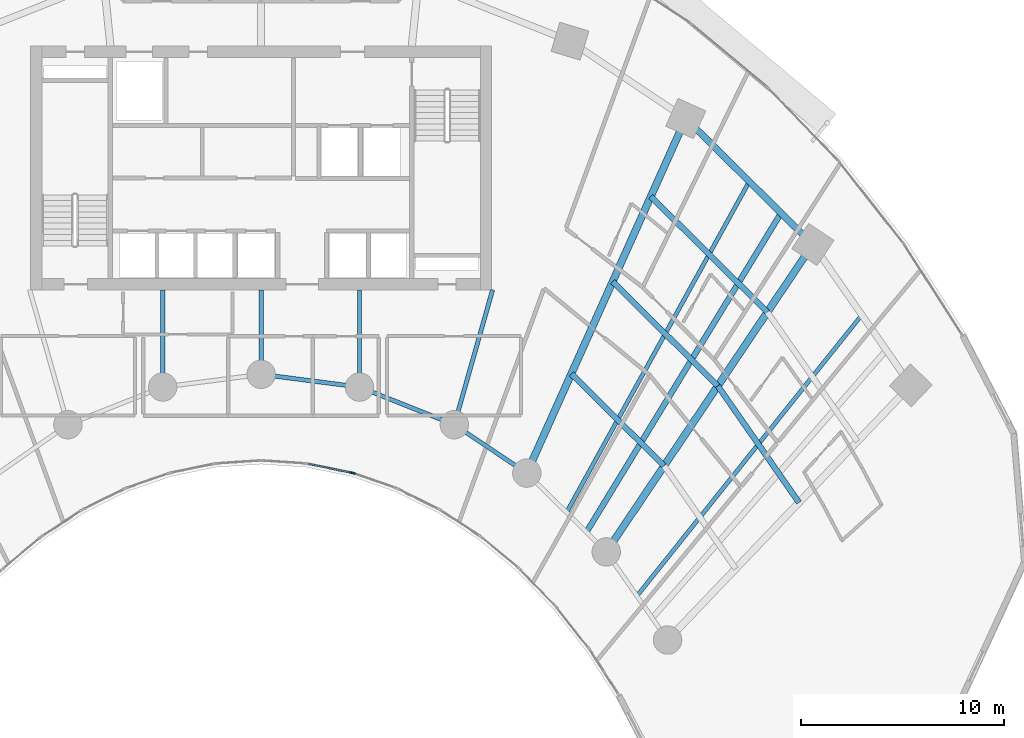
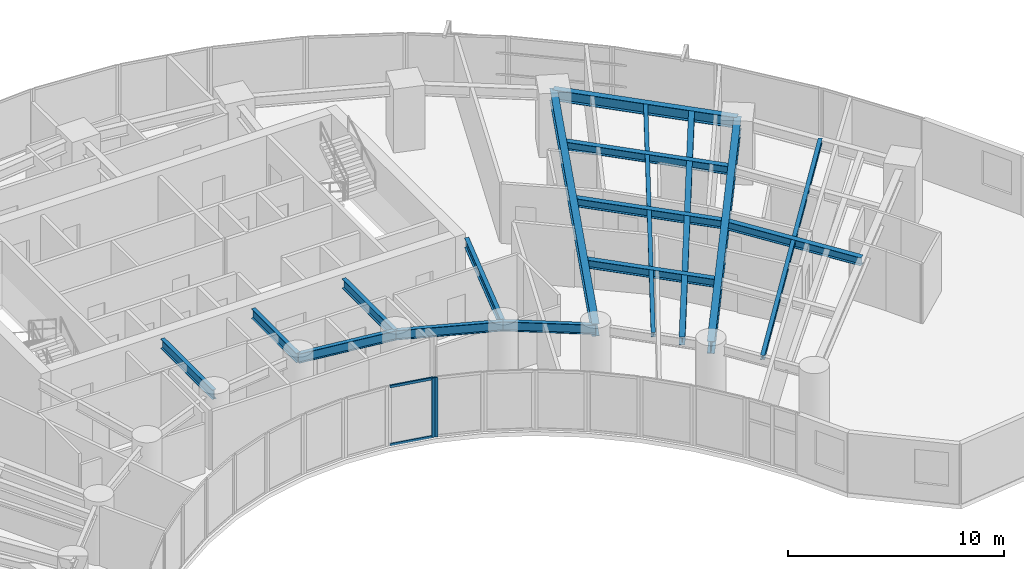
# One storey, part 5 of 17: 17 beams, 4 members, 2 elements without a shape of their own.
"""IFC4 building model written with IfcOpenShell, lengths in metres."""

import ifcopenshell
import ifcopenshell.guid

model = None  # the IFC model being written
_history = None  # IfcOwnerHistory: only IFC2X3 demands one
_inside = {}  # id of a spatial element -> (the spatial element, [elements in it])
_under = {}  # id of a project, library or spatial element -> (it, [spatial elements below it])
_declared = {}  # id of a project -> (the project, [libraries it declares])
_typed = {}  # id of a type object -> (the type object, [elements of that type])
_made_of = {}  # id of a material, layer set ... -> (it, [elements and type objects made of it])


def new_model(schema):
    """Start an empty IFC model of exactly this schema.

    Asked for "IFC4X3", IfcOpenShell would pick the latest addendum, in which some entities
    have other attributes; the version numbers below select the first issue.
    IFC2X3 requires an IfcOwnerHistory on every rooted entity: one is made here for all.
    """
    global model, _history
    if schema == "IFC4X3":
        model = ifcopenshell.file(schema_version=(4, 3, 0, 0))
    else:
        model = ifcopenshell.file(schema=schema)
    _inside.clear()
    _under.clear()
    _declared.clear()
    _typed.clear()
    _made_of.clear()
    _history = None
    if model.schema == "IFC2X3":
        org = make("IfcOrganization", Name="unknown")
        user = make(
            "IfcPersonAndOrganization",
            ThePerson=make("IfcPerson", FamilyName="unknown"),
            TheOrganization=org,
        )
        app = make(
            "IfcApplication",
            ApplicationDeveloper=org,
            Version="unknown",
            ApplicationFullName="unknown",
            ApplicationIdentifier="unknown",
        )
        _history = make(
            "IfcOwnerHistory",
            OwningUser=user,
            OwningApplication=app,
            ChangeAction="ADDED",
            CreationDate=0,
        )
    return model


def make(cls, **values):
    """One entity of the class cls with the attributes given. An attribute that is None is left unset."""
    return model.create_entity(
        cls, **{name: value for name, value in values.items() if value is not None}
    )


def rooted(cls, **values):
    """An entity with a GlobalId (a new one), such as an element, a storey or a relation."""
    return make(cls, GlobalId=ifcopenshell.guid.new(), OwnerHistory=_history, **values)


def si_unit(unit_type, name, prefix=None):
    """IfcSIUnit, for example si_unit("LENGTHUNIT", "METRE", prefix="MILLI")."""
    return make("IfcSIUnit", UnitType=unit_type, Prefix=prefix, Name=name)


def assignment(units):
    """IfcUnitAssignment: the units of a project."""
    return None if units is None else make("IfcUnitAssignment", Units=units)


def point(xyz):
    """IfcCartesianPoint."""
    return None if xyz is None else make("IfcCartesianPoint", Coordinates=xyz)


def direction(xyz):
    """IfcDirection."""
    return None if xyz is None else make("IfcDirection", DirectionRatios=xyz)


def frame(location, z_axis=None, x_axis=None):
    """IfcAxis2Placement3D, a coordinate frame: its origin and axes. An axis left out is left unset."""
    return make(
        "IfcAxis2Placement3D",
        Location=point(location),
        Axis=direction(z_axis),
        RefDirection=direction(x_axis),
    )


def frame_2d(location, x_axis=None):
    """IfcAxis2Placement2D, a coordinate frame in the plane: its origin and x axis."""
    return make(
        "IfcAxis2Placement2D", Location=point(location), RefDirection=direction(x_axis)
    )


def origin():
    """The frame at (0, 0, 0) with its axes left unset."""
    return frame((0.0, 0.0, 0.0))


def origin_2d():
    """The frame at (0, 0) in the plane with its x axis left unset."""
    return frame_2d((0.0, 0.0))


def place(relative_to, where):
    """IfcLocalPlacement: puts the frame where relative to a parent placement (None: the world)."""
    return make(
        "IfcLocalPlacement", PlacementRelTo=relative_to, RelativePlacement=where
    )


def context(
    kind, dimensions, precision=None, world=None, true_north=None, identifier=None
):
    """IfcGeometricRepresentationContext, for example the 3D "Model" context."""
    return make(
        "IfcGeometricRepresentationContext",
        ContextIdentifier=identifier,
        ContextType=kind,
        CoordinateSpaceDimension=dimensions,
        Precision=precision,
        WorldCoordinateSystem=world,
        TrueNorth=true_north,
    )


def subcontext(parent, identifier, kind, view, scale=None):
    """IfcGeometricRepresentationSubContext, for example "Body" below "Model"."""
    return make(
        "IfcGeometricRepresentationSubContext",
        ContextIdentifier=identifier,
        ContextType=kind,
        ParentContext=parent,
        TargetScale=scale,
        TargetView=view,
    )


def project(units=None, contexts=None):
    """IfcProject with its units and contexts."""
    return rooted(
        "IfcProject",
        Name="project",
        RepresentationContexts=contexts,
        UnitsInContext=assignment(units),
    )


def spatial(cls, under=None, at=None, **own):
    """A site, building, storey or space (cls), placed at a placement, below another one or the project."""
    s = rooted(cls, ObjectPlacement=at, **own)
    if under is not None:
        _under.setdefault(under.id(), (under, []))[1].append(s)
    return s


def profile(cls, at=None, kind="AREA", **sizes):
    """A parametric profile (cls). Its sizes go by their IFC names, for example OverallWidth=200.0."""
    return make(cls, ProfileType=kind, Position=at, **sizes)


def rectangle(**sizes):
    """IfcRectangleProfileDef."""
    return profile("IfcRectangleProfileDef", **sizes)


def i_section(**sizes):
    """IfcIShapeProfileDef."""
    return profile("IfcIShapeProfileDef", **sizes)


def extrude(swept, where, along, depth):
    """IfcExtrudedAreaSolid: the profile swept, set in the frame where, extruded along a direction by depth."""
    return make(
        "IfcExtrudedAreaSolid",
        SweptArea=swept,
        Position=where,
        ExtrudedDirection=direction(along),
        Depth=depth,
    )


def shape(context_of_items, identifier, shape_type, items):
    """IfcShapeRepresentation: the items that make up one representation, for example the "Body"."""
    return make(
        "IfcShapeRepresentation",
        ContextOfItems=context_of_items,
        RepresentationIdentifier=identifier,
        RepresentationType=shape_type,
        Items=items,
    )


def source(mapping_origin, context_of_items, identifier, shape_type, items):
    """IfcRepresentationMap: a shape defined once, which mapped items show again and again."""
    return make(
        "IfcRepresentationMap",
        MappingOrigin=mapping_origin,
        MappedRepresentation=shape(context_of_items, identifier, shape_type, items),
    )


def transform(
    local_origin,
    x_axis=None,
    y_axis=None,
    z_axis=None,
    scale=None,
    scale2=None,
    scale3=None,
    uniform=True,
):
    """IfcCartesianTransformationOperator3D, or its non-uniform kind. x_axis, y_axis, z_axis: its Axis1, 2, 3."""
    if uniform:
        return make(
            "IfcCartesianTransformationOperator3D",
            Axis1=direction(x_axis),
            Axis2=direction(y_axis),
            LocalOrigin=point(local_origin),
            Scale=scale,
            Axis3=direction(z_axis),
        )
    return make(
        "IfcCartesianTransformationOperator3DnonUniform",
        Axis1=direction(x_axis),
        Axis2=direction(y_axis),
        LocalOrigin=point(local_origin),
        Scale=scale,
        Axis3=direction(z_axis),
        Scale2=scale2,
        Scale3=scale3,
    )


def mapped(mapping_source, mapping_target):
    """IfcMappedItem: shows the shape of a source again, moved by a transform."""
    return make(
        "IfcMappedItem", MappingSource=mapping_source, MappingTarget=mapping_target
    )


def material(Name=None, Category=None):
    """IfcMaterial."""
    return make("IfcMaterial", Name=Name, Category=Category)


def layer(
    of_material, thickness, ventilated=None, Name=None, Category=None, Priority=None
):
    """IfcMaterialLayer: one layer of a wall or slab, of a material (None: an air gap)."""
    return make(
        "IfcMaterialLayer",
        Material=of_material,
        LayerThickness=thickness,
        IsVentilated=ventilated,
        Name=Name,
        Category=Category,
        Priority=Priority,
    )


def layer_set(layers, Name=None):
    """IfcMaterialLayerSet."""
    return make("IfcMaterialLayerSet", MaterialLayers=layers, LayerSetName=Name)


def material_profile(
    of_material, cross_section, Name=None, Category=None, Priority=None
):
    """IfcMaterialProfile: a cross section and its material."""
    return make(
        "IfcMaterialProfile",
        Name=Name,
        Material=of_material,
        Profile=cross_section,
        Priority=Priority,
        Category=Category,
    )


def profile_set(profiles, Name=None, composite=None):
    """IfcMaterialProfileSet."""
    return make(
        "IfcMaterialProfileSet",
        Name=Name,
        MaterialProfiles=profiles,
        CompositeProfile=composite,
    )


def made_of(thing, what):
    """Note that an element or type object is made of a material, layer set ...; save() writes the relation."""
    if what is not None:
        _made_of.setdefault(what.id(), (what, []))[1].append(thing)
    return thing


def type_object(cls, material=None, **own):
    """A type object (cls), such as IfcWallType, which elements share."""
    return made_of(rooted(cls, **own), material)


def type_shapes(of_type, sources):
    """Give a type object the sources (RepresentationMaps) that its elements show as mapped items."""
    of_type.RepresentationMaps = sources


def element(
    cls,
    number,
    at=None,
    inside=None,
    cuts=None,
    type_object=None,
    material=None,
    context=None,
    identifier="Body",
    shape_type=None,
    held_by="IfcProductDefinitionShape",
    body=None,
    shapes=None,
    **own,
):
    """One element of the class cls, such as IfcWall. Its Tag is "e" and its number.

    at: its placement. inside: the storey or other place that contains it. cuts: it is an
    opening in that element (IfcRelVoidsElement). A single representation is given by context,
    identifier, shape_type and body (its items); several are given by shapes. held_by: the class
    of the entity that holds the representations. save() writes the other relations.
    """
    e = rooted(cls, Tag="e%d" % number, ObjectPlacement=at, **own)
    if body is not None:
        shapes = [shape(context, identifier, shape_type, body)]
    if shapes is not None:
        e.Representation = make(held_by, Representations=shapes)
    if inside is not None:
        _inside.setdefault(inside.id(), (inside, []))[1].append(e)
    if cuts is not None:
        rooted(
            "IfcRelVoidsElement", RelatingBuildingElement=cuts, RelatedOpeningElement=e
        )
    if type_object is not None:
        _typed.setdefault(type_object.id(), (type_object, []))[1].append(e)
    return made_of(e, material)


def aggregate(whole, parts):
    """IfcRelAggregates: a whole, such as a stair, and the parts it consists of."""
    return rooted("IfcRelAggregates", RelatingObject=whole, RelatedObjects=parts)


def save(model, path):
    """Write the relations noted so far, then the file.

    IfcRelAggregates (storeys below a building ...), IfcRelContainedInSpatialStructure (elements
    in a storey), IfcRelDefinesByType, IfcRelAssociatesMaterial and IfcRelDeclares: one each for
    every whole, place, type object, material and project.
    """
    for whole, parts in _under.values():
        aggregate(whole, parts)
    for where, things in _inside.values():
        rooted(
            "IfcRelContainedInSpatialStructure",
            RelatedElements=things,
            RelatingStructure=where,
        )
    for kind, things in _typed.values():
        rooted("IfcRelDefinesByType", RelatedObjects=things, RelatingType=kind)
    for what, things in _made_of.values():
        rooted("IfcRelAssociatesMaterial", RelatedObjects=things, RelatingMaterial=what)
    for by, libraries in _declared.values():
        rooted("IfcRelDeclares", RelatingContext=by, RelatedDefinitions=libraries)
    model.write(path)


model = new_model("IFC4")

# Units and contexts
model_context = context("Model", 3, precision=1e-05, world=origin(), true_north=direction((0.0, 1.0)))
body_context = subcontext(model_context, "Body", "Model", "MODEL_VIEW")
ifc_project = project(units=[si_unit("LENGTHUNIT", "METRE"), si_unit("AREAUNIT", "SQUARE_METRE"), si_unit("VOLUMEUNIT", "CUBIC_METRE"), si_unit("PLANEANGLEUNIT", "RADIAN"), si_unit("MASSUNIT", "GRAM", prefix="KILO")], contexts=[model_context])

# Site, building, storey
site_placement = place(None, origin())
site = spatial("IfcSite", under=ifc_project, at=site_placement, CompositionType="ELEMENT")
building_placement = place(site_placement, origin())
building = spatial("IfcBuilding", under=site, at=building_placement, Name="Breltana Convention Tower", CompositionType="ELEMENT")
storey_placement = place(building_placement, frame((0.0, 0.0, 60.60009765625)))
storey = spatial("IfcBuildingStorey", under=building, at=storey_placement, Name="L13", CompositionType="ELEMENT", Elevation=60.60009765625)

# Beams
ifc_material_1 = material(Name="Steel ASTM A992 Grade 50", Category="steel")
ifc_material_profile_1 = material_profile(ifc_material_1, i_section(OverallWidth=0.323974609375, OverallDepth=0.611083984375, WebThickness=0.0126953125, FlangeThickness=0.01904296875, at=origin_2d()), Name="W24X104")
ifc_profile_set_1 = profile_set([ifc_material_profile_1], Name="Steel ASTM A992 Grade 50")
beam_type_1 = type_object("IfcBeamType", Name="BM-SP-W24X104", PredefinedType="SPANDREL", material=ifc_profile_set_1)
shared_shape_1 = source(origin(), body_context, "Body", "SweptSolid", [
    extrude(i_section(OverallWidth=0.323974609375, OverallDepth=0.611083984375, WebThickness=0.0126953125, FlangeThickness=0.01904296875, at=origin_2d()), origin(), (0.0, 0.0, 1.0), 8.810302734375),
])
beam_1_placement = place(storey_placement, frame((68.910400390625, 68.63330078125, 3.054443359375), z_axis=(0.710120823582, -0.704079836322, 0.0), x_axis=(0.704079836322, 0.710120823582, 0.0)))
element("IfcBeam", 1, at=beam_1_placement, inside=storey, type_object=beam_type_1, Name="L13 Outer Spandrel Beam 09", PredefinedType="SPANDREL", context=body_context, shape_type="MappedRepresentation", body=[
    mapped(shared_shape_1, transform((0.0, 0.0, 0.0), scale=1.0)),
])
ifc_material_profile_2 = material_profile(ifc_material_1, i_section(OverallWidth=0.2099609375, OverallDepth=0.537109375, WebThickness=0.010986328125, FlangeThickness=0.017333984375, at=origin_2d()), Name="W21X68")
ifc_profile_set_2 = profile_set([ifc_material_profile_2], Name="Steel ASTM A992 Grade 50")
beam_type_2 = type_object("IfcBeamType", Name="BM-BM-W21X68", PredefinedType="BEAM", material=ifc_profile_set_2)
shared_shape_2 = source(origin(), body_context, "Body", "SweptSolid", [
    extrude(i_section(OverallWidth=0.2099609375, OverallDepth=0.537109375, WebThickness=0.010986328125, FlangeThickness=0.017333984375, at=origin_2d()), origin(), (0.0, 0.0, 1.0), 6.904541015625),
])
type_shapes(beam_type_2, [shared_shape_2])
beam_2_placement = place(storey_placement, frame((59.39990234375, 60.199951171875, 3.09130859375), z_axis=(-0.273006781054, -0.962012108811, 0.0), x_axis=(0.962012108811, -0.273006781054, 0.0)))
element("IfcBeam", 2, at=beam_2_placement, inside=storey, type_object=beam_type_2, Name="L13 South Core Tie Girder R08", PredefinedType="BEAM", context=body_context, shape_type="MappedRepresentation", body=[
    mapped(shared_shape_2, transform((0.0, 0.0, 0.0), scale=1.0)),
])
shared_shape_3 = source(origin(), body_context, "Body", "SweptSolid", [
    extrude(i_section(OverallWidth=0.2099609375, OverallDepth=0.537109375, WebThickness=0.010986328125, FlangeThickness=0.017333984375, at=origin_2d()), origin(), (0.0, 0.0, 1.0), 4.789306640625),
])
for number, where, z_axis, x_axis, name in (
    (3, (43.153564453125, 60.199951171875, 3.09130859375), (0.0, -1.0, 0.0), (1.0, 0.0, 0.0), "L13 South Core Tie Girder R05"),
    (4, (52.846435546875, 60.199951171875, 3.09130859375), (0.0, -1.0, 0.0), (1.0, 0.0, 0.0), "L13 South Core Tie Girder R07"),
):
    element("IfcBeam", number, at=place(storey_placement, frame(where, z_axis=z_axis, x_axis=x_axis)), inside=storey, type_object=beam_type_2, Name=name, PredefinedType="BEAM", context=body_context, shape_type="MappedRepresentation", body=[
        mapped(shared_shape_3, transform((0.0, 0.0, 0.0), scale=1.0)),
    ])
shared_shape_4 = source(origin(), body_context, "Body", "SweptSolid", [
    extrude(i_section(OverallWidth=0.2099609375, OverallDepth=0.537109375, WebThickness=0.010986328125, FlangeThickness=0.017333984375, at=origin_2d()), origin(), (0.0, 0.0, 1.0), 4.1640625),
])
beam_3_placement = place(storey_placement, frame((48.0, 60.199951171875, 3.09130859375), z_axis=(0.0, -1.0, 0.0), x_axis=(1.0, 0.0, 0.0)))
element("IfcBeam", 5, at=beam_3_placement, inside=storey, type_object=beam_type_2, Name="L13 South Core Tie Girder R06", PredefinedType="BEAM", context=body_context, shape_type="MappedRepresentation", body=[
    mapped(shared_shape_4, transform((0.0, 0.0, 0.0), scale=1.0)),
])
ifc_material_profile_3 = material_profile(ifc_material_1, i_section(OverallWidth=0.35498046875, OverallDepth=0.696044921875, WebThickness=0.015380859375, FlangeThickness=0.02490234375, at=origin_2d()), Name="W27X146")
ifc_profile_set_3 = profile_set([ifc_material_profile_3], Name="Steel ASTM A992 Grade 50")
beam_type_3 = type_object("IfcBeamType", Name="BM-RG-W27X146", PredefinedType="USERDEFINED", material=ifc_profile_set_3)
shared_shape_5 = source(origin(), body_context, "Body", "SweptSolid", [
    extrude(i_section(OverallWidth=0.35498046875, OverallDepth=0.696044921875, WebThickness=0.015380859375, FlangeThickness=0.02490234375, at=origin_2d()), origin(), (0.0, 0.0, 1.0), 19.133544921875),
])
beam_4_placement = place(storey_placement, frame((61.08203125, 51.174560546875, 3.011962890625), z_axis=(0.409144564164, 0.912469575172, 0.0), x_axis=(-0.912469575172, 0.409144564164, 0.0)))
element("IfcBeam", 6, at=beam_4_placement, inside=storey, type_object=beam_type_3, Name="L13 Radial Floor Girder R09", ObjectType="GIRDER", PredefinedType="USERDEFINED", context=body_context, shape_type="MappedRepresentation", body=[
    mapped(shared_shape_5, transform((0.0, 0.0, 0.0), scale=1.0)),
])
shared_shape_6 = source(origin(), body_context, "Body", "SweptSolid", [
    extrude(i_section(OverallWidth=0.35498046875, OverallDepth=0.696044921875, WebThickness=0.015380859375, FlangeThickness=0.02490234375, at=origin_2d()), origin(), (0.0, 0.0, 1.0), 18.236328125),
])
beam_5_placement = place(storey_placement, frame((64.995849609375, 47.293701171875, 3.011962890625), z_axis=(0.557730360975, 0.830022195153, 0.0), x_axis=(-0.830022195153, 0.557730360975, 0.0)))
element("IfcBeam", 7, at=beam_5_placement, inside=storey, type_object=beam_type_3, Name="L13 Radial Floor Girder R10", ObjectType="GIRDER", PredefinedType="USERDEFINED", context=body_context, shape_type="MappedRepresentation", body=[
    mapped(shared_shape_6, transform((0.0, 0.0, 0.0), scale=1.0)),
])
shared_shape_7 = source(origin(), body_context, "Body", "SweptSolid", [
    extrude(i_section(OverallWidth=0.2099609375, OverallDepth=0.537109375, WebThickness=0.010986328125, FlangeThickness=0.017333984375, at=origin_2d()), origin(), (0.0, 0.0, 1.0), 5.022705078125),
])
beam_6_placement = place(storey_placement, frame((52.846435546875, 55.41064453125, 3.09130859375), z_axis=(0.929458966248, -0.368925507469, 0.0), x_axis=(0.368925507469, 0.929458966248, 0.0)))
element("IfcBeam", 8, at=beam_6_placement, inside=storey, type_object=beam_type_2, Name="L13 Inner Ring Beam 07", PredefinedType="BEAM", context=body_context, shape_type="MappedRepresentation", body=[
    mapped(shared_shape_7, transform((0.0, 0.0, 0.0), scale=1.0)),
])
shared_shape_8 = source(origin(), body_context, "Body", "SweptSolid", [
    extrude(i_section(OverallWidth=0.2099609375, OverallDepth=0.537109375, WebThickness=0.010986328125, FlangeThickness=0.017333984375, at=origin_2d()), origin(), (0.0, 0.0, 1.0), 4.88671875),
])
beam_7_placement = place(storey_placement, frame((48.0, 56.035888671875, 3.09130859375), z_axis=(0.991780525565, -0.127950729231, 0.0), x_axis=(0.127950729231, 0.991780525565, 0.0)))
element("IfcBeam", 9, at=beam_7_placement, inside=storey, type_object=beam_type_2, Name="L13 Inner Ring Beam 06", PredefinedType="BEAM", context=body_context, shape_type="MappedRepresentation", body=[
    mapped(shared_shape_8, transform((0.0, 0.0, 0.0), scale=1.0)),
])
shared_shape_9 = source(origin(), body_context, "Body", "SweptSolid", [
    extrude(i_section(OverallWidth=0.2099609375, OverallDepth=0.537109375, WebThickness=0.010986328125, FlangeThickness=0.017333984375, at=origin_2d()), origin(), (0.0, 0.0, 1.0), 4.2900390625),
])
beam_8_placement = place(storey_placement, frame((57.514892578125, 53.5576171875, 3.09130859375), z_axis=(0.831515827753, -0.555501060482, 0.0), x_axis=(0.555501060482, 0.831515827753, 0.0)))
element("IfcBeam", 10, at=beam_8_placement, inside=storey, type_object=beam_type_2, Name="L13 Inner Ring Beam 08", PredefinedType="BEAM", context=body_context, shape_type="MappedRepresentation", body=[
    mapped(shared_shape_9, transform((0.0, 0.0, 0.0), scale=1.0)),
])
ifc_material_profile_4 = material_profile(ifc_material_1, i_section(OverallWidth=0.280029296875, OverallDepth=0.462890625, WebThickness=0.0107421875, FlangeThickness=0.017333984375, at=origin_2d()), Name="W18X76")
ifc_profile_set_4 = profile_set([ifc_material_profile_4], Name="Steel ASTM A992 Grade 50")
beam_type_4 = type_object("IfcBeamType", Name="BM-JSG-06", PredefinedType="JOIST", material=ifc_profile_set_4)
shared_shape_10 = source(origin(), body_context, "Body", "SweptSolid", [
    extrude(i_section(OverallWidth=0.280029296875, OverallDepth=0.462890625, WebThickness=0.0107421875, FlangeThickness=0.017333984375, at=origin_2d()), origin(), (0.0, 0.0, 1.0), 6.435302734375),
])
beam_9_placement = place(storey_placement, frame((63.27392578125, 56.06298828125, 3.12841796875), z_axis=(0.710116389828, -0.704084308089, 0.0), x_axis=(0.704084308089, 0.710116389828, 0.0)))
element("IfcBeam", 11, at=beam_9_placement, inside=storey, type_object=beam_type_4, Name="L13 Composite Floor Joist 09.1", PredefinedType="JOIST", context=body_context, shape_type="MappedRepresentation", body=[
    mapped(shared_shape_10, transform((0.0, 0.0, 0.0), scale=1.0)),
])
shared_shape_11 = source(origin(), body_context, "Body", "SweptSolid", [
    extrude(i_section(OverallWidth=0.280029296875, OverallDepth=0.462890625, WebThickness=0.0107421875, FlangeThickness=0.017333984375, at=origin_2d()), origin(), (0.0, 0.0, 1.0), 7.29296875),
])
beam_10_placement = place(storey_placement, frame((65.309326171875, 60.602294921875, 3.12841796875), z_axis=(0.710096551013, -0.704104316305, 0.0), x_axis=(0.704104316305, 0.710096551013, 0.0)))
element("IfcBeam", 12, at=beam_10_placement, inside=storey, type_object=beam_type_4, Name="L13 Composite Floor Joist 09.2", PredefinedType="JOIST", context=body_context, shape_type="MappedRepresentation", body=[
    mapped(shared_shape_11, transform((0.0, 0.0, 0.0), scale=1.0)),
])
shared_shape_12 = source(origin(), body_context, "Body", "SweptSolid", [
    extrude(i_section(OverallWidth=0.280029296875, OverallDepth=0.462890625, WebThickness=0.0107421875, FlangeThickness=0.017333984375, at=origin_2d()), origin(), (0.0, 0.0, 1.0), 8.084716796875),
])
beam_11_placement = place(storey_placement, frame((67.188232421875, 64.79248046875, 3.12841796875), z_axis=(0.710105094548, -0.704095699956, 0.0), x_axis=(0.704095699956, 0.710105094548, 0.0)))
element("IfcBeam", 13, at=beam_11_placement, inside=storey, type_object=beam_type_4, Name="L13 Composite Floor Joist 09.3", PredefinedType="JOIST", context=body_context, shape_type="MappedRepresentation", body=[
    mapped(shared_shape_12, transform((0.0, 0.0, 0.0), scale=1.0)),
])
ifc_material_profile_5 = material_profile(ifc_material_1, i_section(OverallWidth=0.201904296875, OverallDepth=0.2470703125, WebThickness=0.00732421875, FlangeThickness=0.010986328125, at=origin_2d()), Name="W10X33")
ifc_profile_set_5 = profile_set([ifc_material_profile_5], Name="Steel ASTM A992 Grade 50")
beam_type_5 = type_object("IfcBeamType", Name="BM-JSG-11", PredefinedType="JOIST", material=ifc_profile_set_5)
shared_shape_13 = source(origin(), body_context, "Body", "SweptSolid", [
    extrude(i_section(OverallWidth=0.201904296875, OverallDepth=0.2470703125, WebThickness=0.00732421875, FlangeThickness=0.010986328125, at=origin_2d()), origin(), (0.0, 0.0, 1.0), 18.617431640625),
])
beam_12_placement = place(storey_placement, frame((63.038818359375, 49.234130859375, 3.236328125), z_axis=(0.483405602507, 0.875396495004, 0.0), x_axis=(-0.875396495004, 0.483405602507, 0.0)))
element("IfcBeam", 14, at=beam_12_placement, inside=storey, type_object=beam_type_5, Name="L13 Mid-Bay Radial Trimmer 09", PredefinedType="JOIST", context=body_context, shape_type="MappedRepresentation", body=[
    mapped(shared_shape_13, transform((0.0, 0.0, 0.0), scale=1.0)),
])
shared_shape_14 = source(origin(), body_context, "Body", "SweptSolid", [
    extrude(i_section(OverallWidth=0.280029296875, OverallDepth=0.462890625, WebThickness=0.0107421875, FlangeThickness=0.017333984375, at=origin_2d()), origin(), (0.0, 0.0, 1.0), 18.409423828125),
])
beam_13_placement = place(storey_placement, frame((64.017333984375, 48.263916015625, 3.12841796875), z_axis=(0.520682167606, 0.853750596098, 0.0), x_axis=(-0.853750596098, 0.520682167606, 0.0)))
element("IfcBeam", 15, at=beam_13_placement, inside=storey, type_object=beam_type_4, Name="L13 Quarter-Bay Radial Trimmer 09", PredefinedType="JOIST", context=body_context, shape_type="MappedRepresentation", body=[
    mapped(shared_shape_14, transform((0.0, 0.0, 0.0), scale=1.0)),
])
shared_shape_15 = source(origin(), body_context, "Body", "SweptSolid", [
    extrude(i_section(OverallWidth=0.280029296875, OverallDepth=0.462890625, WebThickness=0.0107421875, FlangeThickness=0.017333984375, at=origin_2d()), origin(), (0.0, 0.0, 1.0), 6.99462890625),
])
beam_14_placement = place(storey_placement, frame((70.488037109375, 55.46728515625, 3.12841796875), z_axis=(0.571206630732, -0.820806301759, 0.0), x_axis=(0.820806301759, 0.571206630732, 0.0)))
element("IfcBeam", 16, at=beam_14_placement, inside=storey, type_object=beam_type_4, Name="L13 Composite Floor Joist 10.2", PredefinedType="JOIST", context=body_context, shape_type="MappedRepresentation", body=[
    mapped(shared_shape_15, transform((0.0, 0.0, 0.0), scale=1.0)),
])
shared_shape_16 = source(origin(), body_context, "Body", "SweptSolid", [
    extrude(i_section(OverallWidth=0.201904296875, OverallDepth=0.2470703125, WebThickness=0.00732421875, FlangeThickness=0.010986328125, at=origin_2d()), origin(), (0.0, 0.0, 1.0), 17.7236328125),
])
beam_15_placement = place(storey_placement, frame((66.505615234375, 45.124267578125, 3.236328125), z_axis=(0.624829427563, 0.78076128647, 0.0), x_axis=(-0.78076128647, 0.624829427563, 0.0)))
element("IfcBeam", 17, at=beam_15_placement, inside=storey, type_object=beam_type_5, Name="L13 Mid-Bay Radial Trimmer 10", PredefinedType="JOIST", context=body_context, shape_type="MappedRepresentation", body=[
    mapped(shared_shape_16, transform((0.0, 0.0, 0.0), scale=1.0)),
])

# Curtain wall, members
ifc_material_2 = material(Name="Aluminium Anodised Bronze Frame", Category="aluminium")
ifc_layer = layer(ifc_material_2, 0.18994140625, Name="Aluminium Anodised Bronze Frame")
ifc_layer_set = layer_set([ifc_layer], Name="Aluminium Anodised Bronze Frame")
curtain_wall_type = type_object("IfcCurtainWallType", Name="CW-SYS-1", PredefinedType="NOTDEFINED", material=ifc_layer_set)
curtain_wall_1_placement = place(storey_placement, origin())
curtain_wall_1 = element("IfcCurtainWall", 18, at=curtain_wall_1_placement, inside=storey, type_object=curtain_wall_type, Name="L13 inner south-court glazing 8", PredefinedType="NOTDEFINED")
ifc_material_3 = material(Name="Aluminium Anodised Bronze", Category="aluminium")
ifc_material_profile_6 = material_profile(ifc_material_3, rectangle(XDim=0.080078125, YDim=0.139892578125, at=origin_2d()), Name="CWT-80X140")
ifc_profile_set_6 = profile_set([ifc_material_profile_6], Name="Aluminium Anodised Bronze")
member_type_1 = type_object("IfcMemberType", Name="CWT-140", PredefinedType="USERDEFINED", material=ifc_profile_set_6)
shared_shape_17 = source(origin(), body_context, "Body", "SweptSolid", [
    extrude(rectangle(XDim=0.080078125, YDim=0.139892578125, at=origin_2d()), origin(), (0.0, 0.0, 1.0), 2.096435546875),
])
member_1_placement = place(storey_placement, frame((52.401611328125, 51.201416015625, 0.039794921875), z_axis=(-0.979615042233, 0.200883969074, 0.0), x_axis=(-0.200883969074, -0.979615042233, 0.0)))
member_1 = element("IfcMember", 19, at=member_1_placement, type_object=member_type_1, Name="CW-01 transom 1.1", ObjectType="TRANSOM", PredefinedType="USERDEFINED", context=body_context, shape_type="MappedRepresentation", body=[
    mapped(shared_shape_17, transform((0.0, 0.0, 0.0), scale=1.0)),
])
member_2_placement = place(storey_placement, frame((52.401611328125, 51.201416015625, 3.31982421875), z_axis=(-0.979615042233, 0.200883969074, 0.0), x_axis=(-0.200883969074, -0.979615042233, 0.0)))
member_2 = element("IfcMember", 20, at=member_2_placement, type_object=member_type_1, Name="CW-01 transom 1.2", ObjectType="TRANSOM", PredefinedType="USERDEFINED", context=body_context, shape_type="MappedRepresentation", body=[
    mapped(shared_shape_17, transform((0.0, 0.0, 0.0), scale=1.0)),
])

# Curtain wall, member
curtain_wall_2_placement = place(storey_placement, origin())
curtain_wall_2 = element("IfcCurtainWall", 21, at=curtain_wall_2_placement, inside=storey, type_object=curtain_wall_type, Name="L13 inner south-court glazing 7", PredefinedType="NOTDEFINED")
ifc_material_profile_7 = material_profile(ifc_material_3, rectangle(XDim=0.080078125, YDim=0.199951171875, at=origin_2d()), Name="CWM-80X200")
ifc_profile_set_7 = profile_set([ifc_material_profile_7], Name="Aluminium Anodised Bronze")
member_type_2 = type_object("IfcMemberType", Name="CWM-200", PredefinedType="MULLION", material=ifc_profile_set_7)
shared_shape_18 = source(origin(), body_context, "Body", "SweptSolid", [
    extrude(rectangle(XDim=0.080078125, YDim=0.199951171875, at=origin_2d()), origin(), (0.0, 0.0, 1.0), 3.35986328125),
])
member_3_placement = place(storey_placement, frame((52.54052734375, 51.166015625, 0.0), z_axis=(0.0, 0.0, 1.0), x_axis=(-0.327413341714, -0.944881211406, 0.0)))
member_3 = element("IfcMember", 22, at=member_3_placement, type_object=member_type_2, Name="CW-01 mullion 2", PredefinedType="MULLION", context=body_context, shape_type="MappedRepresentation", body=[
    mapped(shared_shape_18, transform((0.0, 0.0, 0.0), scale=1.0)),
])
aggregate(curtain_wall_2, [member_3])

# Member
member_4_placement = place(storey_placement, frame((52.44091796875, 51.193359375, 0.0), z_axis=(0.0, 0.0, 1.0), x_axis=(-0.200886350278, -0.97961455393, 0.0)))
member_4 = element("IfcMember", 23, at=member_4_placement, type_object=member_type_2, Name="CW-01 mullion 1", PredefinedType="MULLION", context=body_context, shape_type="MappedRepresentation", body=[
    mapped(shared_shape_18, transform((0.0, 0.0, 0.0), scale=1.0)),
])

aggregate(curtain_wall_1, [member_4, member_1, member_2])

save(model, "model.ifc")
